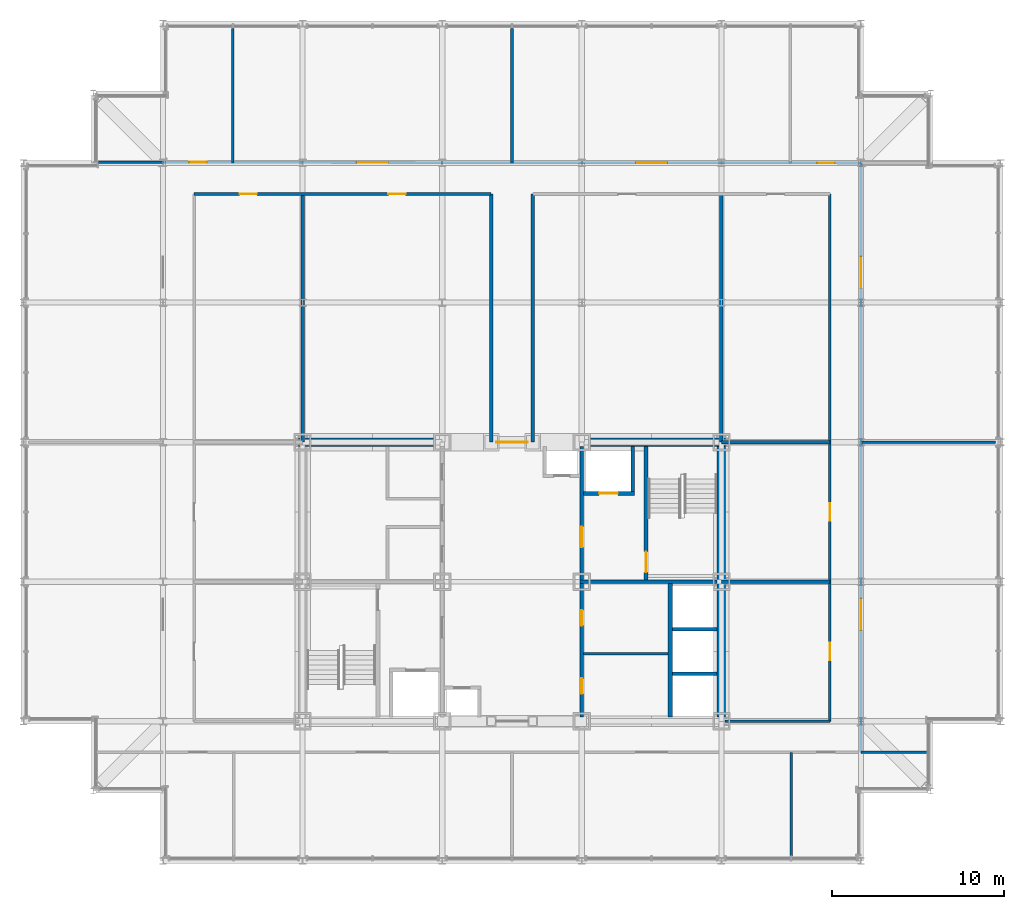
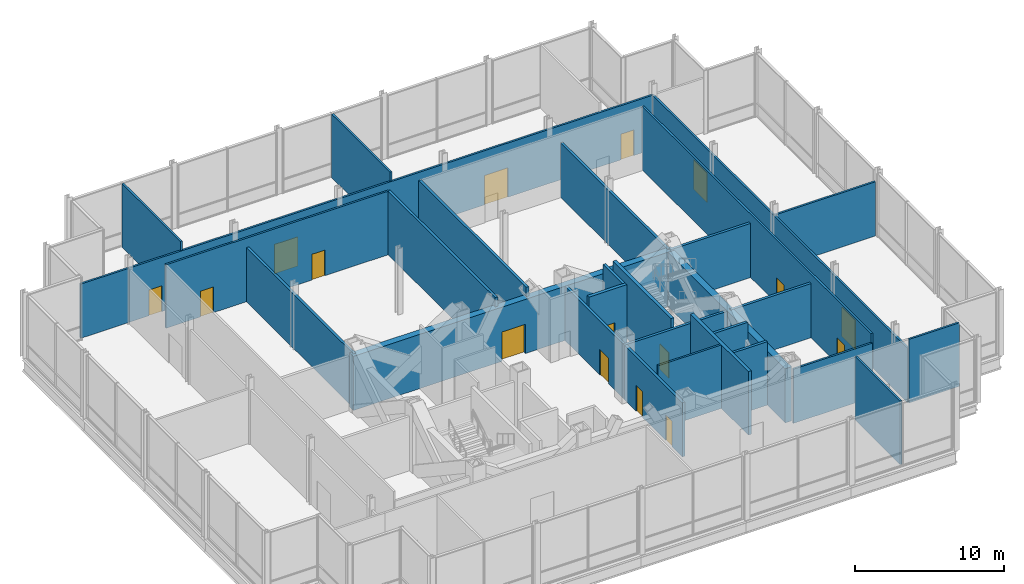
# One storey, part 19 of 21: 29 walls, 16 doors, 16 openings.
"""IFC4 building model written with IfcOpenShell, lengths in metres."""

import ifcopenshell
import ifcopenshell.guid

model = None  # the IFC model being written
_history = None  # IfcOwnerHistory: only IFC2X3 demands one
_inside = {}  # id of a spatial element -> (the spatial element, [elements in it])
_under = {}  # id of a project, library or spatial element -> (it, [spatial elements below it])
_declared = {}  # id of a project -> (the project, [libraries it declares])
_typed = {}  # id of a type object -> (the type object, [elements of that type])
_made_of = {}  # id of a material, layer set ... -> (it, [elements and type objects made of it])


def new_model(schema):
    """Start an empty IFC model of exactly this schema.

    Asked for "IFC4X3", IfcOpenShell would pick the latest addendum, in which some entities
    have other attributes; the version numbers below select the first issue.
    IFC2X3 requires an IfcOwnerHistory on every rooted entity: one is made here for all.
    """
    global model, _history
    if schema == "IFC4X3":
        model = ifcopenshell.file(schema_version=(4, 3, 0, 0))
    else:
        model = ifcopenshell.file(schema=schema)
    _inside.clear()
    _under.clear()
    _declared.clear()
    _typed.clear()
    _made_of.clear()
    _history = None
    if model.schema == "IFC2X3":
        org = make("IfcOrganization", Name="unknown")
        user = make(
            "IfcPersonAndOrganization",
            ThePerson=make("IfcPerson", FamilyName="unknown"),
            TheOrganization=org,
        )
        app = make(
            "IfcApplication",
            ApplicationDeveloper=org,
            Version="unknown",
            ApplicationFullName="unknown",
            ApplicationIdentifier="unknown",
        )
        _history = make(
            "IfcOwnerHistory",
            OwningUser=user,
            OwningApplication=app,
            ChangeAction="ADDED",
            CreationDate=0,
        )
    return model


def make(cls, **values):
    """One entity of the class cls with the attributes given. An attribute that is None is left unset."""
    return model.create_entity(
        cls, **{name: value for name, value in values.items() if value is not None}
    )


def rooted(cls, **values):
    """An entity with a GlobalId (a new one), such as an element, a storey or a relation."""
    return make(cls, GlobalId=ifcopenshell.guid.new(), OwnerHistory=_history, **values)


def si_unit(unit_type, name, prefix=None):
    """IfcSIUnit, for example si_unit("LENGTHUNIT", "METRE", prefix="MILLI")."""
    return make("IfcSIUnit", UnitType=unit_type, Prefix=prefix, Name=name)


def assignment(units):
    """IfcUnitAssignment: the units of a project."""
    return None if units is None else make("IfcUnitAssignment", Units=units)


def point(xyz):
    """IfcCartesianPoint."""
    return None if xyz is None else make("IfcCartesianPoint", Coordinates=xyz)


def direction(xyz):
    """IfcDirection."""
    return None if xyz is None else make("IfcDirection", DirectionRatios=xyz)


def frame(location, z_axis=None, x_axis=None):
    """IfcAxis2Placement3D, a coordinate frame: its origin and axes. An axis left out is left unset."""
    return make(
        "IfcAxis2Placement3D",
        Location=point(location),
        Axis=direction(z_axis),
        RefDirection=direction(x_axis),
    )


def frame_2d(location, x_axis=None):
    """IfcAxis2Placement2D, a coordinate frame in the plane: its origin and x axis."""
    return make(
        "IfcAxis2Placement2D", Location=point(location), RefDirection=direction(x_axis)
    )


def origin():
    """The frame at (0, 0, 0) with its axes left unset."""
    return frame((0.0, 0.0, 0.0))


def place(relative_to, where):
    """IfcLocalPlacement: puts the frame where relative to a parent placement (None: the world)."""
    return make(
        "IfcLocalPlacement", PlacementRelTo=relative_to, RelativePlacement=where
    )


def context(
    kind, dimensions, precision=None, world=None, true_north=None, identifier=None
):
    """IfcGeometricRepresentationContext, for example the 3D "Model" context."""
    return make(
        "IfcGeometricRepresentationContext",
        ContextIdentifier=identifier,
        ContextType=kind,
        CoordinateSpaceDimension=dimensions,
        Precision=precision,
        WorldCoordinateSystem=world,
        TrueNorth=true_north,
    )


def subcontext(parent, identifier, kind, view, scale=None):
    """IfcGeometricRepresentationSubContext, for example "Body" below "Model"."""
    return make(
        "IfcGeometricRepresentationSubContext",
        ContextIdentifier=identifier,
        ContextType=kind,
        ParentContext=parent,
        TargetScale=scale,
        TargetView=view,
    )


def project(units=None, contexts=None):
    """IfcProject with its units and contexts."""
    return rooted(
        "IfcProject",
        Name="project",
        RepresentationContexts=contexts,
        UnitsInContext=assignment(units),
    )


def spatial(cls, under=None, at=None, **own):
    """A site, building, storey or space (cls), placed at a placement, below another one or the project."""
    s = rooted(cls, ObjectPlacement=at, **own)
    if under is not None:
        _under.setdefault(under.id(), (under, []))[1].append(s)
    return s


def profile(cls, at=None, kind="AREA", **sizes):
    """A parametric profile (cls). Its sizes go by their IFC names, for example OverallWidth=200.0."""
    return make(cls, ProfileType=kind, Position=at, **sizes)


def rectangle(**sizes):
    """IfcRectangleProfileDef."""
    return profile("IfcRectangleProfileDef", **sizes)


def extrude(swept, where, along, depth):
    """IfcExtrudedAreaSolid: the profile swept, set in the frame where, extruded along a direction by depth."""
    return make(
        "IfcExtrudedAreaSolid",
        SweptArea=swept,
        Position=where,
        ExtrudedDirection=direction(along),
        Depth=depth,
    )


def shape(context_of_items, identifier, shape_type, items):
    """IfcShapeRepresentation: the items that make up one representation, for example the "Body"."""
    return make(
        "IfcShapeRepresentation",
        ContextOfItems=context_of_items,
        RepresentationIdentifier=identifier,
        RepresentationType=shape_type,
        Items=items,
    )


def material(Name=None, Category=None):
    """IfcMaterial."""
    return make("IfcMaterial", Name=Name, Category=Category)


def layer(
    of_material, thickness, ventilated=None, Name=None, Category=None, Priority=None
):
    """IfcMaterialLayer: one layer of a wall or slab, of a material (None: an air gap)."""
    return make(
        "IfcMaterialLayer",
        Material=of_material,
        LayerThickness=thickness,
        IsVentilated=ventilated,
        Name=Name,
        Category=Category,
        Priority=Priority,
    )


def layer_set(layers, Name=None):
    """IfcMaterialLayerSet."""
    return make("IfcMaterialLayerSet", MaterialLayers=layers, LayerSetName=Name)


def made_of(thing, what):
    """Note that an element or type object is made of a material, layer set ...; save() writes the relation."""
    if what is not None:
        _made_of.setdefault(what.id(), (what, []))[1].append(thing)
    return thing


def type_object(cls, material=None, **own):
    """A type object (cls), such as IfcWallType, which elements share."""
    return made_of(rooted(cls, **own), material)


def element(
    cls,
    number,
    at=None,
    inside=None,
    cuts=None,
    type_object=None,
    material=None,
    context=None,
    identifier="Body",
    shape_type=None,
    held_by="IfcProductDefinitionShape",
    body=None,
    shapes=None,
    **own,
):
    """One element of the class cls, such as IfcWall. Its Tag is "e" and its number.

    at: its placement. inside: the storey or other place that contains it. cuts: it is an
    opening in that element (IfcRelVoidsElement). A single representation is given by context,
    identifier, shape_type and body (its items); several are given by shapes. held_by: the class
    of the entity that holds the representations. save() writes the other relations.
    """
    e = rooted(cls, Tag="e%d" % number, ObjectPlacement=at, **own)
    if body is not None:
        shapes = [shape(context, identifier, shape_type, body)]
    if shapes is not None:
        e.Representation = make(held_by, Representations=shapes)
    if inside is not None:
        _inside.setdefault(inside.id(), (inside, []))[1].append(e)
    if cuts is not None:
        rooted(
            "IfcRelVoidsElement", RelatingBuildingElement=cuts, RelatedOpeningElement=e
        )
    if type_object is not None:
        _typed.setdefault(type_object.id(), (type_object, []))[1].append(e)
    return made_of(e, material)


def fill(opening, filler):
    """IfcRelFillsElement: the door or window that sits in an opening."""
    return rooted(
        "IfcRelFillsElement",
        RelatingOpeningElement=opening,
        RelatedBuildingElement=filler,
    )


def aggregate(whole, parts):
    """IfcRelAggregates: a whole, such as a stair, and the parts it consists of."""
    return rooted("IfcRelAggregates", RelatingObject=whole, RelatedObjects=parts)


def save(model, path):
    """Write the relations noted so far, then the file.

    IfcRelAggregates (storeys below a building ...), IfcRelContainedInSpatialStructure (elements
    in a storey), IfcRelDefinesByType, IfcRelAssociatesMaterial and IfcRelDeclares: one each for
    every whole, place, type object, material and project.
    """
    for whole, parts in _under.values():
        aggregate(whole, parts)
    for where, things in _inside.values():
        rooted(
            "IfcRelContainedInSpatialStructure",
            RelatedElements=things,
            RelatingStructure=where,
        )
    for kind, things in _typed.values():
        rooted("IfcRelDefinesByType", RelatedObjects=things, RelatingType=kind)
    for what, things in _made_of.values():
        rooted("IfcRelAssociatesMaterial", RelatedObjects=things, RelatingMaterial=what)
    for by, libraries in _declared.values():
        rooted("IfcRelDeclares", RelatingContext=by, RelatedDefinitions=libraries)
    model.write(path)


model = new_model("IFC4")

# Units and contexts
model_context = context("Model", 3, precision=1e-05, world=origin(), true_north=direction((0.0, 1.0)))
body_context = subcontext(model_context, "Body", "Model", "MODEL_VIEW")
ifc_project = project(units=[si_unit("LENGTHUNIT", "METRE"), si_unit("AREAUNIT", "SQUARE_METRE"), si_unit("VOLUMEUNIT", "CUBIC_METRE"), si_unit("PLANEANGLEUNIT", "RADIAN"), si_unit("MASSUNIT", "GRAM", prefix="KILO")], contexts=[model_context])

# Site, building, storey
site_placement = place(None, origin())
site = spatial("IfcSite", under=ifc_project, at=site_placement, CompositionType="ELEMENT")
building_placement = place(site_placement, origin())
building = spatial("IfcBuilding", under=site, at=building_placement, Name="Kopane Lantern Tower", CompositionType="ELEMENT")
storey_placement = place(building_placement, frame((0.0, 0.0, 298.5)))
storey = spatial("IfcBuildingStorey", under=building, at=storey_placement, Name="L76", CompositionType="ELEMENT", Elevation=298.5)

# Wall, opening, door
ifc_material_1 = material(Name="Gypsum shaft wall EI 120", Category="gypsum")
ifc_layer_1 = layer(ifc_material_1, 0.5)
ifc_layer_set_1 = layer_set([ifc_layer_1], Name="CORE PERIMETER WALL 500 EI 120")
wall_type_1 = type_object("IfcWallType", Name="CORE PERIMETER WALL 500 EI 120", PredefinedType="SOLIDWALL", material=ifc_layer_set_1)
wall_1_placement = place(storey_placement, frame((15.949951171875, 40.5, 0.0), z_axis=(0.0, 0.0, 1.0), x_axis=(1.0, 0.0, 0.0)))
wall_1 = element("IfcWall", 1, at=wall_1_placement, inside=storey, type_object=wall_type_1, Name="Core shaft wall L76 PN", PredefinedType="SOLIDWALL", context=body_context, shape_type="SweptSolid", body=[
    extrude(rectangle(XDim=24.800048828125, YDim=0.5, at=frame_2d((12.39990234375, 0.0))), origin(), (0.0, 0.0, 1.0), 4.427734375),
])
opening_1_placement = place(wall_1_placement, frame((11.5, 0.0, 0.0)))
opening_1 = element("IfcOpeningElement", 2, at=opening_1_placement, cuts=wall_1, Name="Opening 76.CE-N", PredefinedType="OPENING", context=body_context, shape_type="SweptSolid", body=[
    extrude(rectangle(XDim=1.800048828125, YDim=2.39990234375, at=frame_2d((0.89990234375, 1.199951171875))), frame((0.0, 0.260009765625, 0.0), z_axis=(0.0, -1.0, 0.0), x_axis=(1.0, 0.0, 0.0)), (0.0, 0.0, 1.0), 0.52001953125),
])
ifc_material_2 = material(Name="Steel door set", Category="steel")
door_type_1 = type_object("IfcDoorType", Name="CORE ENTRY DOOR 1800x2400 FD60S", OperationType="DOUBLE_DOOR_SINGLE_SWING", PredefinedType="DOOR", material=ifc_material_2)
door_1_placement = place(opening_1_placement, origin())
door_1 = element("IfcDoor", 3, at=door_1_placement, inside=storey, type_object=door_type_1, Name="Core entry door L76 north", OperationType="DOUBLE_DOOR_SINGLE_SWING", OverallHeight=2.39990234375, OverallWidth=1.800048828125, PredefinedType="DOOR", context=body_context, shape_type="SweptSolid", body=[
    extrude(rectangle(XDim=1.800048828125, YDim=2.39990234375, at=frame_2d((0.89990234375, 1.199951171875))), frame((0.0, 0.02490234375, 0.0), z_axis=(0.0, -1.0, 0.0), x_axis=(1.0, 0.0, 0.0)), (0.0, 0.0, 1.0), 0.050048828125),
])
fill(opening_1, door_1)

# Walls
wall_2_placement = place(storey_placement, frame((40.5, 24.550048828125, 0.0), z_axis=(0.0, 0.0, 1.0), x_axis=(0.0, 1.0, 0.0)))
element("IfcWall", 4, at=wall_2_placement, inside=storey, type_object=wall_type_1, Name="Core shaft wall L76 PE", PredefinedType="SOLIDWALL", context=body_context, shape_type="SweptSolid", body=[
    extrude(rectangle(XDim=15.699951171875, YDim=0.5, at=frame_2d((7.85009765625, 0.0))), origin(), (0.0, 0.0, 1.0), 4.427734375),
])
ifc_material_3 = material(Name="Gypsum partition EI 60", Category="gypsum")
ifc_layer_2 = layer(ifc_material_3, 0.14990234375)
ifc_layer_set_2 = layer_set([ifc_layer_2], Name="CORE ROOM PARTITION 150 EI 60")
wall_type_2 = type_object("IfcWallType", Name="CORE ROOM PARTITION 150 EI 60", PredefinedType="PARTITIONING", material=ifc_layer_set_2)
wall_3_placement = place(storey_placement, frame((32.5, 28.22509765625, 0.0), z_axis=(0.0, 0.0, 1.0), x_axis=(1.0, 0.0, 0.0)))
element("IfcWall", 5, at=wall_3_placement, inside=storey, type_object=wall_type_2, Name="Core room partition L76 E1", PredefinedType="PARTITIONING", context=body_context, shape_type="SweptSolid", body=[
    extrude(rectangle(XDim=4.89990234375, YDim=0.14990234375, at=frame_2d((2.449951171875, 0.0))), origin(), (0.0, 0.0, 1.0), 5.18994140625),
])

# Wall, openings, doors
ifc_material_4 = material(Name="Gypsum partition EI 60", Category="gypsum")
ifc_layer_3 = layer(ifc_material_4, 0.199951171875)
ifc_layer_set_3 = layer_set([ifc_layer_3], Name="CORE ROOM WALL 200 EI 60")
wall_type_3 = type_object("IfcWallType", Name="CORE ROOM WALL 200 EI 60", PredefinedType="PARTITIONING", material=ifc_layer_set_3)
wall_4_placement = place(storey_placement, frame((32.39990234375, 24.550048828125, 0.0), z_axis=(0.0, 0.0, 1.0), x_axis=(0.0, 1.0, 0.0)))
wall_4 = element("IfcWall", 6, at=wall_4_placement, inside=storey, type_object=wall_type_3, Name="Core room wall L76 XE", PredefinedType="PARTITIONING", context=body_context, shape_type="SweptSolid", body=[
    extrude(rectangle(XDim=7.75, YDim=0.199951171875, at=frame_2d((3.875, 0.0))), origin(), (0.0, 0.0, 1.0), 4.427734375),
])
opening_2_placement = place(wall_4_placement, frame((1.35009765625, 0.0, 0.0)))
opening_2 = element("IfcOpeningElement", 7, at=opening_2_placement, cuts=wall_4, Name="Opening 76.C20", PredefinedType="OPENING", context=body_context, shape_type="SweptSolid", body=[
    extrude(rectangle(XDim=0.89990234375, YDim=2.10009765625, at=frame_2d((0.449951171875, 1.050048828125))), frame((0.0, 0.10986328125, 0.0), z_axis=(0.0, -1.0, 0.0), x_axis=(1.0, 0.0, 0.0)), (0.0, 0.0, 1.0), 0.219970703125),
])
opening_3_placement = place(wall_4_placement, frame((5.300048828125, 0.0, 0.0)))
opening_3 = element("IfcOpeningElement", 8, at=opening_3_placement, cuts=wall_4, Name="Opening 76.C21", PredefinedType="OPENING", context=body_context, shape_type="SweptSolid", body=[
    extrude(rectangle(XDim=0.89990234375, YDim=2.10009765625, at=frame_2d((0.449951171875, 1.050048828125))), frame((0.0, 0.10986328125, 0.0), z_axis=(0.0, -1.0, 0.0), x_axis=(1.0, 0.0, 0.0)), (0.0, 0.0, 1.0), 0.219970703125),
])
ifc_material_5 = material(Name="Steel door set", Category="steel")
door_type_2 = type_object("IfcDoorType", Name="CORE ROOM DOOR 900x2100 FD60", OperationType="SINGLE_SWING_LEFT", PredefinedType="DOOR", material=ifc_material_5)
door_2_placement = place(opening_2_placement, origin())
door_2 = element("IfcDoor", 9, at=door_2_placement, inside=storey, type_object=door_type_2, Name="Door Spare parts store L76", OperationType="SINGLE_SWING_LEFT", OverallHeight=2.10009765625, OverallWidth=0.89990234375, PredefinedType="DOOR", context=body_context, shape_type="SweptSolid", body=[
    extrude(rectangle(XDim=0.89990234375, YDim=2.10009765625, at=frame_2d((0.449951171875, 1.050048828125))), frame((0.0, 0.02490234375, 0.0), z_axis=(0.0, -1.0, 0.0), x_axis=(1.0, 0.0, 0.0)), (0.0, 0.0, 1.0), 0.050048828125),
])
fill(opening_2, door_2)
door_3_placement = place(opening_3_placement, origin())
door_3 = element("IfcDoor", 10, at=door_3_placement, inside=storey, type_object=door_type_2, Name="Door Plant store L76", OperationType="SINGLE_SWING_LEFT", OverallHeight=2.10009765625, OverallWidth=0.89990234375, PredefinedType="DOOR", context=body_context, shape_type="SweptSolid", body=[
    extrude(rectangle(XDim=0.89990234375, YDim=2.10009765625, at=frame_2d((0.449951171875, 1.050048828125))), frame((0.0, 0.02490234375, 0.0), z_axis=(0.0, -1.0, 0.0), x_axis=(1.0, 0.0, 0.0)), (0.0, 0.0, 1.0), 0.050048828125),
])
fill(opening_3, door_3)

# Wall
ifc_material_6 = material(Name="Gypsum shaft wall EI 120", Category="gypsum")
ifc_layer_4 = layer(ifc_material_6, 0.25)
ifc_layer_set_4 = layer_set([ifc_layer_4], Name="CORE SHAFT WALL 250 EI 120")
wall_type_4 = type_object("IfcWallType", Name="CORE SHAFT WALL 250 EI 120", PredefinedType="SOLIDWALL", material=ifc_layer_set_4)
wall_5_placement = place(storey_placement, frame((37.52490234375, 24.550048828125, 0.0), z_axis=(0.0, 0.0, 1.0), x_axis=(0.0, 1.0, 0.0)))
element("IfcWall", 11, at=wall_5_placement, inside=storey, type_object=wall_type_4, Name="Core shaft wall L76 XLR", PredefinedType="SOLIDWALL", context=body_context, shape_type="SweptSolid", body=[
    extrude(rectangle(XDim=7.75, YDim=0.25, at=frame_2d((3.875, 0.0))), origin(), (0.0, 0.0, 1.0), 5.18994140625),
])

# Wall, opening, door
wall_6_placement = place(storey_placement, frame((36.125, 32.5, 0.0), z_axis=(0.0, 0.0, 1.0), x_axis=(0.0, 1.0, 0.0)))
wall_6 = element("IfcWall", 12, at=wall_6_placement, inside=storey, type_object=wall_type_4, Name="Core shaft wall L76 XST2", PredefinedType="SOLIDWALL", context=body_context, shape_type="SweptSolid", body=[
    extrude(rectangle(XDim=7.75, YDim=0.25, at=frame_2d((3.875, 0.0))), origin(), (0.0, 0.0, 1.0), 5.18994140625),
])
opening_4_placement = place(wall_6_placement, frame((0.449951171875, 0.0, 0.0)))
opening_4 = element("IfcOpeningElement", 13, at=opening_4_placement, cuts=wall_6, Name="Opening 76.SD2", PredefinedType="OPENING", context=body_context, shape_type="SweptSolid", body=[
    extrude(rectangle(XDim=1.199951171875, YDim=2.10009765625, at=frame_2d((0.60009765625, 1.050048828125))), frame((0.0, 0.135009765625, 0.0), z_axis=(0.0, -1.0, 0.0), x_axis=(1.0, 0.0, 0.0)), (0.0, 0.0, 1.0), 0.27001953125),
])
ifc_material_7 = material(Name="Steel door set", Category="steel")
door_type_3 = type_object("IfcDoorType", Name="STAIR DOOR 1200x2100 FD60S", OperationType="SINGLE_SWING_LEFT", PredefinedType="DOOR", material=ifc_material_7)
door_4_placement = place(opening_4_placement, origin())
door_4 = element("IfcDoor", 14, at=door_4_placement, inside=storey, type_object=door_type_3, Name="Stair door ST2 L76", OperationType="SINGLE_SWING_RIGHT", OverallHeight=2.10009765625, OverallWidth=1.199951171875, PredefinedType="DOOR", context=body_context, shape_type="SweptSolid", body=[
    extrude(rectangle(XDim=1.199951171875, YDim=2.10009765625, at=frame_2d((0.60009765625, 1.050048828125))), frame((0.0, 0.02490234375, 0.0), z_axis=(0.0, -1.0, 0.0), x_axis=(1.0, 0.0, 0.0)), (0.0, 0.0, 1.0), 0.050048828125),
])
fill(opening_4, door_4)

wall_7_placement = place(storey_placement, frame((32.5, 37.52490234375, 0.0), z_axis=(0.0, 0.0, 1.0), x_axis=(1.0, 0.0, 0.0)))
wall_7 = element("IfcWall", 15, at=wall_7_placement, inside=storey, type_object=wall_type_4, Name="Core shaft wall L76 YLF2", PredefinedType="SOLIDWALL", context=body_context, shape_type="SweptSolid", body=[
    extrude(rectangle(XDim=2.949951171875, YDim=0.25, at=frame_2d((1.47509765625, 0.0))), origin(), (0.0, 0.0, 1.0), 5.18994140625),
])
opening_5_placement = place(wall_7_placement, frame((0.89990234375, 0.0, 0.0)))
opening_5 = element("IfcOpeningElement", 16, at=opening_5_placement, cuts=wall_7, Name="Opening 76.LD-LF2", PredefinedType="OPENING", context=body_context, shape_type="SweptSolid", body=[
    extrude(rectangle(XDim=1.10009765625, YDim=2.39990234375, at=frame_2d((0.550048828125, 1.199951171875))), frame((0.0, 0.135009765625, 0.0), z_axis=(0.0, -1.0, 0.0), x_axis=(1.0, 0.0, 0.0)), (0.0, 0.0, 1.0), 0.27001953125),
])
ifc_material_8 = material(Name="Steel door set", Category="steel")
door_type_4 = type_object("IfcDoorType", Name="LIFT LANDING DOOR 1100x2400 FD60", OperationType="DOUBLE_DOOR_SLIDING", PredefinedType="DOOR", material=ifc_material_8)
door_5_placement = place(opening_5_placement, origin())
door_5 = element("IfcDoor", 17, at=door_5_placement, inside=storey, type_object=door_type_4, Name="Landing door LF2 L76", OperationType="DOUBLE_DOOR_SLIDING", OverallHeight=2.39990234375, OverallWidth=1.10009765625, PredefinedType="DOOR", context=body_context, shape_type="SweptSolid", body=[
    extrude(rectangle(XDim=1.10009765625, YDim=2.39990234375, at=frame_2d((0.550048828125, 1.199951171875))), frame((0.0, 0.02490234375, 0.0), z_axis=(0.0, -1.0, 0.0), x_axis=(1.0, 0.0, 0.0)), (0.0, 0.0, 1.0), 0.050048828125),
])
fill(opening_5, door_5)

# Wall, openings, doors
ifc_material_9 = material(Name="Gypsum board on steel studs", Category="steel")
ifc_layer_5 = layer(ifc_material_9, 0.14990234375)
ifc_layer_set_5 = layer_set([ifc_layer_5], Name="CORRIDOR WALL 150 EI 60")
wall_type_5 = type_object("IfcWallType", Name="CORRIDOR WALL 150 EI 60", PredefinedType="PARTITIONING", material=ifc_layer_set_5)
wall_8_placement = place(storey_placement, frame((8.10009765625, 56.739990234375, 0.0), z_axis=(0.0, 0.0, 1.0), x_axis=(0.999999511317, -0.000988618344, 0.0)))
wall_8 = element("IfcWall", 18, at=wall_8_placement, inside=storey, type_object=wall_type_5, Name="Corridor Wall 150 Ei 60 L76", PredefinedType="PARTITIONING", context=body_context, shape_type="SweptSolid", body=[
    extrude(rectangle(XDim=40.5, YDim=0.14990234375, at=frame_2d((20.25, 0.0))), origin(), (0.0, 0.0, 1.0), 4.427734375),
])
opening_6_placement = place(wall_8_placement, frame((11.25, 0.0, 0.0)))
opening_6 = element("IfcOpeningElement", 19, at=opening_6_placement, cuts=wall_8, Name="Opening L76-011", PredefinedType="OPENING", context=body_context, shape_type="SweptSolid", body=[
    extrude(rectangle(XDim=1.800048828125, YDim=2.39990234375, at=frame_2d((0.89990234375, 1.199951171875))), frame((0.0, 0.0849609375, 0.0), z_axis=(0.0, -1.0, 0.0), x_axis=(1.0, 0.0, 0.0)), (0.0, 0.0, 1.0), 0.169921875),
])
opening_7_placement = place(wall_8_placement, frame((27.449951171875, 0.0, 0.0)))
opening_7 = element("IfcOpeningElement", 20, at=opening_7_placement, cuts=wall_8, Name="Opening L76-012", PredefinedType="OPENING", context=body_context, shape_type="SweptSolid", body=[
    extrude(rectangle(XDim=1.800048828125, YDim=2.39990234375, at=frame_2d((0.89990234375, 1.199951171875))), frame((0.0, 0.0849609375, 0.0), z_axis=(0.0, -1.0, 0.0), x_axis=(1.0, 0.0, 0.0)), (0.0, 0.0, 1.0), 0.169921875),
])
opening_8_placement = place(wall_8_placement, frame((37.97509765625, 0.0, 0.0)))
opening_8 = element("IfcOpeningElement", 21, at=opening_8_placement, cuts=wall_8, Name="Opening L76-019", PredefinedType="OPENING", context=body_context, shape_type="SweptSolid", body=[
    extrude(rectangle(XDim=1.0, YDim=2.10009765625, at=frame_2d((0.5, 1.050048828125))), frame((0.0, 0.0849609375, 0.0), z_axis=(0.0, -1.0, 0.0), x_axis=(1.0, 0.0, 0.0)), (0.0, 0.0, 1.0), 0.169921875),
])
opening_9_placement = place(wall_8_placement, frame((1.52490234375, 0.0, 0.0)))
opening_9 = element("IfcOpeningElement", 22, at=opening_9_placement, cuts=wall_8, Name="Opening L76-020", PredefinedType="OPENING", context=body_context, shape_type="SweptSolid", body=[
    extrude(rectangle(XDim=1.0, YDim=2.10009765625, at=frame_2d((0.5, 1.050048828125))), frame((0.0, 0.0849609375, 0.0), z_axis=(0.0, -1.0, 0.0), x_axis=(1.0, 0.0, 0.0)), (0.0, 0.0, 1.0), 0.169921875),
])
ifc_material_10 = material(Name="Steel door set", Category="steel")
door_type_5 = type_object("IfcDoorType", Name="DOOR D5 1000x2100 FD60", OperationType="SINGLE_SWING_LEFT", PredefinedType="DOOR", material=ifc_material_10)
door_6_placement = place(opening_8_placement, origin())
door_6 = element("IfcDoor", 23, at=door_6_placement, inside=storey, type_object=door_type_5, Name="Door L76-019", OperationType="SINGLE_SWING_LEFT", OverallHeight=2.10009765625, OverallWidth=1.0, PredefinedType="DOOR", context=body_context, shape_type="SweptSolid", body=[
    extrude(rectangle(XDim=1.0, YDim=2.10009765625, at=frame_2d((0.5, 1.050048828125))), frame((0.0, 0.02490234375, 0.0), z_axis=(0.0, -1.0, 0.0), x_axis=(1.0, 0.0, 0.0)), (0.0, 0.0, 1.0), 0.050048828125),
])
fill(opening_8, door_6)
door_7_placement = place(opening_9_placement, origin())
door_7 = element("IfcDoor", 24, at=door_7_placement, inside=storey, type_object=door_type_5, Name="Door L76-020", OperationType="SINGLE_SWING_RIGHT", OverallHeight=2.10009765625, OverallWidth=1.0, PredefinedType="DOOR", context=body_context, shape_type="SweptSolid", body=[
    extrude(rectangle(XDim=1.0, YDim=2.10009765625, at=frame_2d((0.5, 1.050048828125))), frame((0.0, 0.02490234375, 0.0), z_axis=(0.0, -1.0, 0.0), x_axis=(1.0, 0.0, 0.0)), (0.0, 0.0, 1.0), 0.050048828125),
])
fill(opening_9, door_7)
ifc_material_11 = material(Name="Steel door set", Category="steel")
door_type_6 = type_object("IfcDoorType", Name="DOOR D8 1800x2400 FD120", OperationType="SINGLE_SWING_LEFT", PredefinedType="DOOR", material=ifc_material_11)
door_8_placement = place(opening_6_placement, origin())
door_8 = element("IfcDoor", 25, at=door_8_placement, inside=storey, type_object=door_type_6, Name="Door L76-011", OperationType="DOUBLE_DOOR_SINGLE_SWING", OverallHeight=2.39990234375, OverallWidth=1.800048828125, PredefinedType="DOOR", context=body_context, shape_type="SweptSolid", body=[
    extrude(rectangle(XDim=1.800048828125, YDim=2.39990234375, at=frame_2d((0.89990234375, 1.199951171875))), frame((0.0, 0.02490234375, 0.0), z_axis=(0.0, -1.0, 0.0), x_axis=(1.0, 0.0, 0.0)), (0.0, 0.0, 1.0), 0.050048828125),
])
fill(opening_6, door_8)
door_9_placement = place(opening_7_placement, origin())
door_9 = element("IfcDoor", 26, at=door_9_placement, inside=storey, type_object=door_type_6, Name="Door L76-012", OperationType="DOUBLE_DOOR_SINGLE_SWING", OverallHeight=2.39990234375, OverallWidth=1.800048828125, PredefinedType="DOOR", context=body_context, shape_type="SweptSolid", body=[
    extrude(rectangle(XDim=1.800048828125, YDim=2.39990234375, at=frame_2d((0.89990234375, 1.199951171875))), frame((0.0, 0.02490234375, 0.0), z_axis=(0.0, -1.0, 0.0), x_axis=(1.0, 0.0, 0.0)), (0.0, 0.0, 1.0), 0.050048828125),
])
fill(opening_7, door_9)

wall_9_placement = place(storey_placement, frame((48.60009765625, 22.5, 0.0), z_axis=(0.0, 0.0, 1.0), x_axis=(0.0, 1.0, 0.0)))
wall_9 = element("IfcWall", 27, at=wall_9_placement, inside=storey, type_object=wall_type_5, Name="Corridor Wall 150 Ei 60 L76", PredefinedType="PARTITIONING", context=body_context, shape_type="SweptSolid", body=[
    extrude(rectangle(XDim=34.199951171875, YDim=0.14990234375, at=frame_2d((17.10009765625, 0.0))), origin(), (0.0, 0.0, 1.0), 4.427734375),
])
opening_10_placement = place(wall_9_placement, frame((7.10009765625, 0.0, 0.0)))
opening_10 = element("IfcOpeningElement", 28, at=opening_10_placement, cuts=wall_9, Name="Opening L76-015", PredefinedType="OPENING", context=body_context, shape_type="SweptSolid", body=[
    extrude(rectangle(XDim=1.800048828125, YDim=2.39990234375, at=frame_2d((0.89990234375, 1.199951171875))), frame((0.0, 0.0849609375, 0.0), z_axis=(0.0, -1.0, 0.0), x_axis=(1.0, 0.0, 0.0)), (0.0, 0.0, 1.0), 0.169921875),
])
opening_11_placement = place(wall_9_placement, frame((26.949951171875, 0.0, 0.0)))
opening_11 = element("IfcOpeningElement", 29, at=opening_11_placement, cuts=wall_9, Name="Opening L76-016", PredefinedType="OPENING", context=body_context, shape_type="SweptSolid", body=[
    extrude(rectangle(XDim=1.800048828125, YDim=2.39990234375, at=frame_2d((0.89990234375, 1.199951171875))), frame((0.0, 0.0849609375, 0.0), z_axis=(0.0, -1.0, 0.0), x_axis=(1.0, 0.0, 0.0)), (0.0, 0.0, 1.0), 0.169921875),
])
door_10_placement = place(opening_10_placement, origin())
door_10 = element("IfcDoor", 30, at=door_10_placement, inside=storey, type_object=door_type_6, Name="Door L76-015", OperationType="DOUBLE_DOOR_SINGLE_SWING", OverallHeight=2.39990234375, OverallWidth=1.800048828125, PredefinedType="DOOR", context=body_context, shape_type="SweptSolid", body=[
    extrude(rectangle(XDim=1.800048828125, YDim=2.39990234375, at=frame_2d((0.89990234375, 1.199951171875))), frame((0.0, 0.02490234375, 0.0), z_axis=(0.0, -1.0, 0.0), x_axis=(1.0, 0.0, 0.0)), (0.0, 0.0, 1.0), 0.050048828125),
])
fill(opening_10, door_10)
door_11_placement = place(opening_11_placement, origin())
door_11 = element("IfcDoor", 31, at=door_11_placement, inside=storey, type_object=door_type_6, Name="Door L76-016", OperationType="DOUBLE_DOOR_SINGLE_SWING", OverallHeight=2.39990234375, OverallWidth=1.800048828125, PredefinedType="DOOR", context=body_context, shape_type="SweptSolid", body=[
    extrude(rectangle(XDim=1.800048828125, YDim=2.39990234375, at=frame_2d((0.89990234375, 1.199951171875))), frame((0.0, 0.02490234375, 0.0), z_axis=(0.0, -1.0, 0.0), x_axis=(1.0, 0.0, 0.0)), (0.0, 0.0, 1.0), 0.050048828125),
])
fill(opening_11, door_11)

wall_10_placement = place(storey_placement, frame((46.800048828125, 24.300048828125, 0.0), z_axis=(0.0, 0.0, 1.0), x_axis=(0.0, 1.0, 0.0)))
wall_10 = element("IfcWall", 32, at=wall_10_placement, inside=storey, type_object=wall_type_5, Name="Corridor Wall 150 Ei 60 L76", PredefinedType="PARTITIONING", context=body_context, shape_type="SweptSolid", body=[
    extrude(rectangle(XDim=30.599853515625, YDim=0.14990234375, at=frame_2d((15.2998046875, 0.0))), origin(), (0.0, 0.0, 1.0), 5.18994140625),
])
opening_12_placement = place(wall_10_placement, frame((3.550048828125, 0.0, 0.0)))
opening_12 = element("IfcOpeningElement", 33, at=opening_12_placement, cuts=wall_10, Name="Opening L76-003", PredefinedType="OPENING", context=body_context, shape_type="SweptSolid", body=[
    extrude(rectangle(XDim=1.0, YDim=2.10009765625, at=frame_2d((0.5, 1.050048828125))), frame((0.0, 0.0849609375, 0.0), z_axis=(0.0, -1.0, 0.0), x_axis=(1.0, 0.0, 0.0)), (0.0, 0.0, 1.0), 0.169921875),
])
opening_13_placement = place(wall_10_placement, frame((11.64990234375, 0.0, 0.0)))
opening_13 = element("IfcOpeningElement", 34, at=opening_13_placement, cuts=wall_10, Name="Opening L76-004", PredefinedType="OPENING", context=body_context, shape_type="SweptSolid", body=[
    extrude(rectangle(XDim=1.0, YDim=2.10009765625, at=frame_2d((0.5, 1.050048828125))), frame((0.0, 0.0849609375, 0.0), z_axis=(0.0, -1.0, 0.0), x_axis=(1.0, 0.0, 0.0)), (0.0, 0.0, 1.0), 0.169921875),
])
door_12_placement = place(opening_12_placement, origin())
door_12 = element("IfcDoor", 35, at=door_12_placement, inside=storey, type_object=door_type_5, Name="Door L76-003", OperationType="SINGLE_SWING_LEFT", OverallHeight=2.10009765625, OverallWidth=1.0, PredefinedType="DOOR", context=body_context, shape_type="SweptSolid", body=[
    extrude(rectangle(XDim=1.0, YDim=2.10009765625, at=frame_2d((0.5, 1.050048828125))), frame((0.0, 0.02490234375, 0.0), z_axis=(0.0, -1.0, 0.0), x_axis=(1.0, 0.0, 0.0)), (0.0, 0.0, 1.0), 0.050048828125),
])
fill(opening_12, door_12)
door_13_placement = place(opening_13_placement, origin())
door_13 = element("IfcDoor", 36, at=door_13_placement, inside=storey, type_object=door_type_5, Name="Door L76-004", OperationType="SINGLE_SWING_RIGHT", OverallHeight=2.10009765625, OverallWidth=1.0, PredefinedType="DOOR", context=body_context, shape_type="SweptSolid", body=[
    extrude(rectangle(XDim=1.0, YDim=2.10009765625, at=frame_2d((0.5, 1.050048828125))), frame((0.0, 0.02490234375, 0.0), z_axis=(0.0, -1.0, 0.0), x_axis=(1.0, 0.0, 0.0)), (0.0, 0.0, 1.0), 0.050048828125),
])
fill(opening_13, door_13)

wall_11_placement = place(storey_placement, frame((27.139892578125, 54.89990234375, 0.0), z_axis=(0.0, 0.0, 1.0), x_axis=(-1.0, 0.0, 0.0)))
wall_11 = element("IfcWall", 37, at=wall_11_placement, inside=storey, type_object=wall_type_5, Name="Corridor Wall 150 Ei 60 L76", PredefinedType="PARTITIONING", context=body_context, shape_type="SweptSolid", body=[
    extrude(rectangle(XDim=17.239990234375, YDim=0.14990234375, at=frame_2d((8.6201171875, 0.0))), origin(), (0.0, 0.0, 1.0), 5.18994140625),
])
opening_14_placement = place(wall_11_placement, frame((13.590087890625, 0.0, 0.0)))
opening_14 = element("IfcOpeningElement", 38, at=opening_14_placement, cuts=wall_11, Name="Opening L76-005", PredefinedType="OPENING", context=body_context, shape_type="SweptSolid", body=[
    extrude(rectangle(XDim=1.0, YDim=2.10009765625, at=frame_2d((0.5, 1.050048828125))), frame((0.0, 0.0849609375, 0.0), z_axis=(0.0, -1.0, 0.0), x_axis=(1.0, 0.0, 0.0)), (0.0, 0.0, 1.0), 0.169921875),
])
opening_15_placement = place(wall_11_placement, frame((4.965087890625, 0.0, 0.0)))
opening_15 = element("IfcOpeningElement", 39, at=opening_15_placement, cuts=wall_11, Name="Opening L76-006", PredefinedType="OPENING", context=body_context, shape_type="SweptSolid", body=[
    extrude(rectangle(XDim=1.0, YDim=2.10009765625, at=frame_2d((0.5, 1.050048828125))), frame((0.0, 0.0849609375, 0.0), z_axis=(0.0, -1.0, 0.0), x_axis=(1.0, 0.0, 0.0)), (0.0, 0.0, 1.0), 0.169921875),
])
door_14_placement = place(opening_14_placement, origin())
door_14 = element("IfcDoor", 40, at=door_14_placement, inside=storey, type_object=door_type_5, Name="Door L76-005", OperationType="SINGLE_SWING_RIGHT", OverallHeight=2.10009765625, OverallWidth=1.0, PredefinedType="DOOR", context=body_context, shape_type="SweptSolid", body=[
    extrude(rectangle(XDim=1.0, YDim=2.10009765625, at=frame_2d((0.5, 1.050048828125))), frame((0.0, 0.02490234375, 0.0), z_axis=(0.0, -1.0, 0.0), x_axis=(1.0, 0.0, 0.0)), (0.0, 0.0, 1.0), 0.050048828125),
])
fill(opening_14, door_14)
door_15_placement = place(opening_15_placement, origin())
door_15 = element("IfcDoor", 41, at=door_15_placement, inside=storey, type_object=door_type_5, Name="Door L76-006", OperationType="SINGLE_SWING_LEFT", OverallHeight=2.10009765625, OverallWidth=1.0, PredefinedType="DOOR", context=body_context, shape_type="SweptSolid", body=[
    extrude(rectangle(XDim=1.0, YDim=2.10009765625, at=frame_2d((0.5, 1.050048828125))), frame((0.0, 0.02490234375, 0.0), z_axis=(0.0, -1.0, 0.0), x_axis=(1.0, 0.0, 0.0)), (0.0, 0.0, 1.0), 0.050048828125),
])
fill(opening_15, door_15)

# Walls
wall_12_placement = place(storey_placement, frame((40.699951171875, 24.300048828125, 0.0), z_axis=(0.0, 0.0, 1.0), x_axis=(1.0, 0.0, 0.0)))
element("IfcWall", 42, at=wall_12_placement, inside=storey, type_object=wall_type_5, Name="Corridor Wall 150 Ei 60 L76", PredefinedType="PARTITIONING", context=body_context, shape_type="SweptSolid", body=[
    extrude(rectangle(XDim=6.10009765625, YDim=0.14990234375, at=frame_2d((3.050048828125, 0.0))), origin(), (0.0, 0.0, 1.0), 4.427734375),
])
ifc_material_12 = material(Name="Gypsum board on steel studs", Category="steel")
ifc_layer_6 = layer(ifc_material_12, 0.14990234375)
ifc_layer_set_6 = layer_set([ifc_layer_6], Name="DEMISING WALL 150 EI 60")
wall_type_6 = type_object("IfcWallType", Name="DEMISING WALL 150 EI 60", PredefinedType="PARTITIONING", material=ifc_layer_set_6)
wall_13_placement = place(storey_placement, frame((28.35009765625, 56.699951171875, 0.0), z_axis=(0.0, 0.0, 1.0), x_axis=(0.0, 1.0, 0.0)))
element("IfcWall", 43, at=wall_13_placement, inside=storey, type_object=wall_type_6, Name="Demising Wall 150 Ei 60 L76", PredefinedType="PARTITIONING", context=body_context, shape_type="SweptSolid", body=[
    extrude(rectangle(XDim=7.80712890625, YDim=0.14990234375, at=frame_2d((3.903564453125, 0.0))), origin(), (0.0, 0.0, 1.0), 5.18994140625),
])
wall_14_placement = place(storey_placement, frame((48.60009765625, 40.5, 0.0), z_axis=(0.0, 0.0, 1.0), x_axis=(1.0, 0.0, 0.0)))
element("IfcWall", 44, at=wall_14_placement, inside=storey, type_object=wall_type_6, Name="Demising Wall 150 Ei 60 L76", PredefinedType="PARTITIONING", context=body_context, shape_type="SweptSolid", body=[
    extrude(rectangle(XDim=7.7998046875, YDim=0.14990234375, at=frame_2d((3.89990234375, 0.0))), origin(), (0.0, 0.0, 1.0), 4.427734375),
])
wall_15_placement = place(storey_placement, frame((48.60009765625, 22.5, 0.0), z_axis=(0.0, 0.0, 1.0), x_axis=(1.0, 0.0, 0.0)))
element("IfcWall", 45, at=wall_15_placement, inside=storey, type_object=wall_type_6, Name="Demising Wall 150 Ei 60 L76", PredefinedType="PARTITIONING", context=body_context, shape_type="SweptSolid", body=[
    extrude(rectangle(XDim=3.876953125, YDim=0.14990234375, at=frame_2d((1.9384765625, 0.0))), origin(), (0.0, 0.0, 1.0), 5.18994140625),
])
wall_16_placement = place(storey_placement, frame((44.550048828125, 22.5, 0.0), z_axis=(0.0, 0.0, 1.0), x_axis=(0.0, -1.0, 0.0)))
element("IfcWall", 46, at=wall_16_placement, inside=storey, type_object=wall_type_6, Name="Demising Wall 150 Ei 60 L76", PredefinedType="PARTITIONING", context=body_context, shape_type="SweptSolid", body=[
    extrude(rectangle(XDim=6.007080078125, YDim=0.14990234375, at=frame_2d((3.00341796875, 0.0))), origin(), (0.0, 0.0, 1.0), 5.18994140625),
])
wall_17_placement = place(storey_placement, frame((4.343017578125, 56.739990234375, 0.0), z_axis=(0.0, 0.0, 1.0), x_axis=(1.0, 0.0, 0.0)))
element("IfcWall", 47, at=wall_17_placement, inside=storey, type_object=wall_type_6, Name="Demising Wall 150 Ei 60 L76", PredefinedType="PARTITIONING", context=body_context, shape_type="SweptSolid", body=[
    extrude(rectangle(XDim=3.757080078125, YDim=0.14990234375, at=frame_2d((1.87841796875, 0.0))), origin(), (0.0, 0.0, 1.0), 4.427734375),
])
wall_18_placement = place(storey_placement, frame((12.14990234375, 56.699951171875, 0.0), z_axis=(0.0, 0.0, 1.0), x_axis=(0.0, 1.0, 0.0)))
element("IfcWall", 48, at=wall_18_placement, inside=storey, type_object=wall_type_6, Name="Demising Wall 150 Ei 60 L76", PredefinedType="PARTITIONING", context=body_context, shape_type="SweptSolid", body=[
    extrude(rectangle(XDim=7.80712890625, YDim=0.14990234375, at=frame_2d((3.903564453125, 0.0))), origin(), (0.0, 0.0, 1.0), 5.18994140625),
])
ifc_material_13 = material(Name="Concrete masonry", Category="masonry")
ifc_layer_7 = layer(ifc_material_13, 0.199951171875)
ifc_layer_set_7 = layer_set([ifc_layer_7], Name="PLANT ROOM WALL 200 EI 120")
wall_type_7 = type_object("IfcWallType", Name="PLANT ROOM WALL 200 EI 120", PredefinedType="SOLIDWALL", material=ifc_layer_set_7)
wall_19_placement = place(storey_placement, frame((40.5, 32.39990234375, 0.0), z_axis=(0.0, 0.0, 1.0), x_axis=(1.0, 0.0, 0.0)))
element("IfcWall", 49, at=wall_19_placement, inside=storey, type_object=wall_type_7, Name="Plant Room Wall 200 Ei 120 L76", PredefinedType="SOLIDWALL", context=body_context, shape_type="SweptSolid", body=[
    extrude(rectangle(XDim=6.300048828125, YDim=0.199951171875, at=frame_2d((3.14990234375, 0.0))), origin(), (0.0, 0.0, 1.0), 4.427734375),
])
for number, where, z_axis, x_axis, name in (
    (50, (16.199951171875, 40.5, 0.0), (0.0, 0.0, 1.0), (0.0, 1.0, 0.0), "Plant Room Wall 200 Ei 120 L76"),
    (51, (40.5, 40.5, 0.0), (0.0, 0.0, 1.0), (0.0, 1.0, 0.0), "Plant Room Wall 200 Ei 120 L76"),
):
    element("IfcWall", number, at=place(storey_placement, frame(where, z_axis=z_axis, x_axis=x_axis)), inside=storey, type_object=wall_type_7, Name=name, PredefinedType="SOLIDWALL", context=body_context, shape_type="SweptSolid", body=[
        extrude(rectangle(XDim=14.39990234375, YDim=0.199951171875, at=frame_2d((7.199951171875, 0.0))), origin(), (0.0, 0.0, 1.0), 4.427734375),
    ])
for number, where, z_axis, x_axis, name in (
    (52, (27.14990234375, 40.5, 0.0), (0.0, 0.0, 1.0), (0.0, 1.0, 0.0), "Plant Room Wall 200 Ei 120 L76"),
    (53, (29.550048828125, 40.5, 0.0), (0.0, 0.0, 1.0), (0.0, 1.0, 0.0), "Plant Room Wall 200 Ei 120 L76"),
):
    element("IfcWall", number, at=place(storey_placement, frame(where, z_axis=z_axis, x_axis=x_axis)), inside=storey, type_object=wall_type_7, Name=name, PredefinedType="SOLIDWALL", context=body_context, shape_type="SweptSolid", body=[
        extrude(rectangle(XDim=14.39990234375, YDim=0.199951171875, at=frame_2d((7.199951171875, 0.0))), origin(), (0.0, 0.0, 1.0), 5.18994140625),
    ])
wall_20_placement = place(storey_placement, frame((40.5, 40.5, 0.0), z_axis=(0.0, 0.0, 1.0), x_axis=(1.0, 0.0, 0.0)))
element("IfcWall", 54, at=wall_20_placement, inside=storey, type_object=wall_type_7, Name="Plant Room Wall 200 Ei 120 L76", PredefinedType="SOLIDWALL", context=body_context, shape_type="SweptSolid", body=[
    extrude(rectangle(XDim=6.300048828125, YDim=0.199951171875, at=frame_2d((3.14990234375, 0.0))), origin(), (0.0, 0.0, 1.0), 4.427734375),
])
ifc_material_14 = material(Name="Gypsum shaft wall EI 120", Category="gypsum")
ifc_layer_8 = layer(ifc_material_14, 0.199951171875)
ifc_layer_set_8 = layer_set([ifc_layer_8], Name="SHAFT WALL 200 EI 120")
wall_type_8 = type_object("IfcWallType", Name="SHAFT WALL 200 EI 120", PredefinedType="SOLIDWALL", material=ifc_layer_set_8)
wall_21_placement = place(storey_placement, frame((32.300048828125, 32.39990234375, 0.0), z_axis=(0.0, 0.0, 1.0), x_axis=(1.0, 0.0, 0.0)))
element("IfcWall", 55, at=wall_21_placement, inside=storey, type_object=wall_type_8, Name="Core shaft wall L76 Y324E", PredefinedType="SOLIDWALL", context=body_context, shape_type="SweptSolid", body=[
    extrude(rectangle(XDim=7.949951171875, YDim=0.199951171875, at=frame_2d((3.97509765625, 0.0))), origin(), (0.0, 0.0, 1.0), 4.427734375),
])

# Wall, opening, door
wall_22_placement = place(storey_placement, frame((32.39990234375, 32.5, 0.0), z_axis=(0.0, 0.0, 1.0), x_axis=(0.0, 1.0, 0.0)))
wall_22 = element("IfcWall", 56, at=wall_22_placement, inside=storey, type_object=wall_type_8, Name="Core shaft wall L76 X324", PredefinedType="SOLIDWALL", context=body_context, shape_type="SweptSolid", body=[
    extrude(rectangle(XDim=7.75, YDim=0.199951171875, at=frame_2d((3.875, 0.0))), origin(), (0.0, 0.0, 1.0), 4.427734375),
])
opening_16_placement = place(wall_22_placement, frame((1.89990234375, 0.0, 0.0)))
opening_16 = element("IfcOpeningElement", 57, at=opening_16_placement, cuts=wall_22, Name="Opening 76.FL2", PredefinedType="OPENING", context=body_context, shape_type="SweptSolid", body=[
    extrude(rectangle(XDim=1.199951171875, YDim=2.10009765625, at=frame_2d((0.60009765625, 1.050048828125))), frame((0.0, 0.10986328125, 0.0), z_axis=(0.0, -1.0, 0.0), x_axis=(1.0, 0.0, 0.0)), (0.0, 0.0, 1.0), 0.219970703125),
])
ifc_material_15 = material(Name="Steel door set", Category="steel")
door_type_7 = type_object("IfcDoorType", Name="FIREFIGHTING LOBBY DOOR 1200x2100 FD60S", OperationType="SINGLE_SWING_RIGHT", PredefinedType="DOOR", material=ifc_material_15)
door_16_placement = place(opening_16_placement, origin())
door_16 = element("IfcDoor", 58, at=door_16_placement, inside=storey, type_object=door_type_7, Name="Firefighting lobby door FL2 L76", OperationType="SINGLE_SWING_LEFT", OverallHeight=2.10009765625, OverallWidth=1.199951171875, PredefinedType="DOOR", context=body_context, shape_type="SweptSolid", body=[
    extrude(rectangle(XDim=1.199951171875, YDim=2.10009765625, at=frame_2d((0.60009765625, 1.050048828125))), frame((0.0, 0.02490234375, 0.0), z_axis=(0.0, -1.0, 0.0), x_axis=(1.0, 0.0, 0.0)), (0.0, 0.0, 1.0), 0.050048828125),
])
fill(opening_16, door_16)

# Walls
for number, where, z_axis, x_axis, name in (
    (59, (37.64990234375, 27.050048828125, 0.0), (0.0, 0.0, 1.0), (1.0, 0.0, 0.0), "Core shaft wall L76 YLR12"),
    (60, (37.64990234375, 29.64990234375, 0.0), (0.0, 0.0, 1.0), (1.0, 0.0, 0.0), "Core shaft wall L76 YLR23"),
    (61, (35.35009765625, 37.64990234375, 0.0), (0.0, 0.0, 1.0), (0.0, 1.0, 0.0), "Core shaft wall L76 XLF2"),
):
    element("IfcWall", number, at=place(storey_placement, frame(where, z_axis=z_axis, x_axis=x_axis)), inside=storey, type_object=wall_type_8, Name=name, PredefinedType="SOLIDWALL", context=body_context, shape_type="SweptSolid", body=[
        extrude(rectangle(XDim=2.60009765625, YDim=0.199951171875, at=frame_2d((1.300048828125, 0.0))), origin(), (0.0, 0.0, 1.0), 5.18994140625),
    ])

save(model, "model.ifc")
